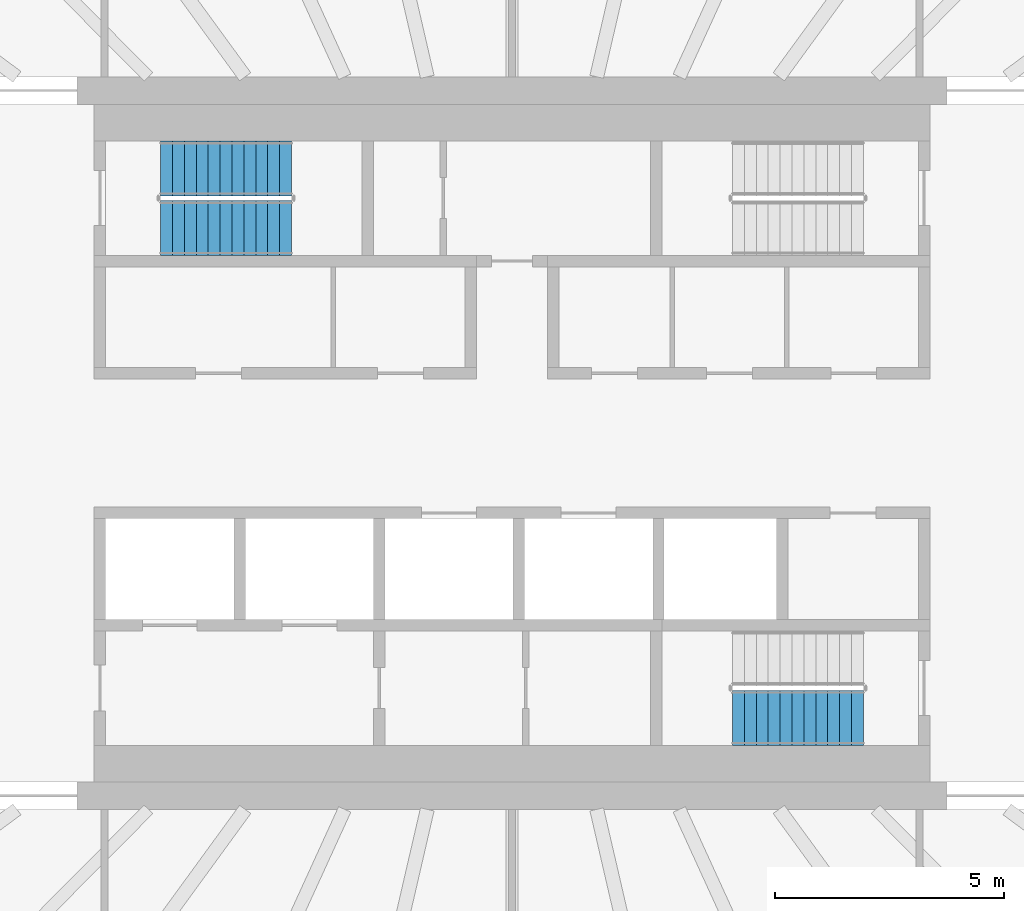
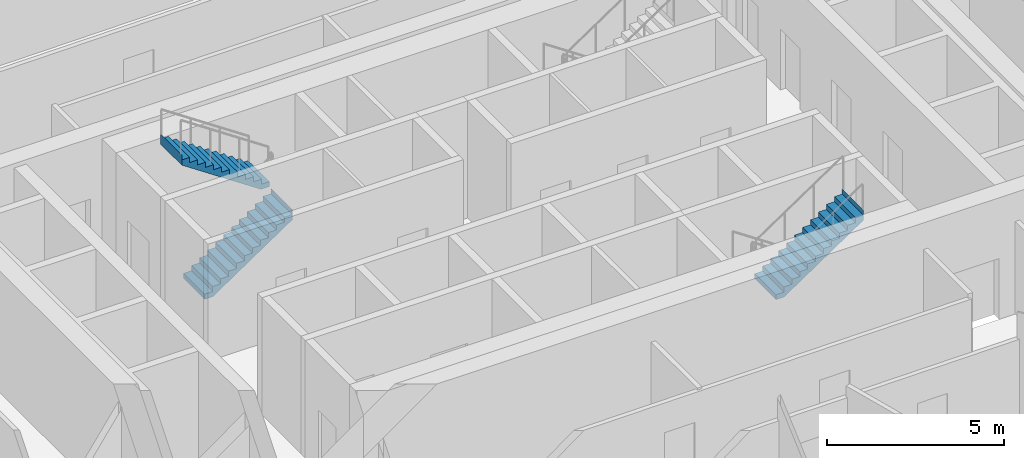
# One storey, part 17 of 24: 3 stair flights, 2 elements without a shape of their own.
"""IFC4 building model written with IfcOpenShell, lengths in metres."""

from ifc_helpers import new_model, si_unit, direction, frame, origin, place, context, subcontext, project, spatial, triangles, material, type_object, element, aggregate, save


model = new_model("IFC4")

# Units and contexts
model_context = context("Model", 3, precision=1e-05, world=origin(), true_north=direction((0.0, 1.0)))
body_context = subcontext(model_context, "Body", "Model", "MODEL_VIEW")
ifc_project = project(units=[si_unit("LENGTHUNIT", "METRE"), si_unit("AREAUNIT", "SQUARE_METRE"), si_unit("VOLUMEUNIT", "CUBIC_METRE"), si_unit("PLANEANGLEUNIT", "RADIAN"), si_unit("MASSUNIT", "GRAM", prefix="KILO")], contexts=[model_context])

# Site, building, storey
site_placement = place(None, origin())
site = spatial("IfcSite", under=ifc_project, at=site_placement, CompositionType="ELEMENT")
building_placement = place(site_placement, origin())
building = spatial("IfcBuilding", under=site, at=building_placement, Name="Sahrelin Media Tower", CompositionType="ELEMENT")
storey_placement = place(building_placement, frame((0.0, 0.0, 67.199951171875)))
storey = spatial("IfcBuildingStorey", under=building, at=storey_placement, Name="L11", CompositionType="ELEMENT", Elevation=67.199951171875)

# Stair, stair flights
ifc_material = material(Name="Concrete C40/50", Category="concrete")
stair_type = type_object("IfcStairType", Name="Exit stair 1200", PredefinedType="HALF_TURN_STAIR", material=ifc_material)
placement = place(storey_placement, origin())
stair_1 = element("IfcStair", 1, at=placement, inside=storey, type_object=stair_type, Name="L11 Exit stair ST1", PredefinedType="HALF_TURN_STAIR")
stair_flight_type = type_object("IfcStairFlightType", Name="Stair flight 1200", PredefinedType="STRAIGHT", material=ifc_material)
stair_flight_1_placement = place(storey_placement, frame((-7.675048828125, 4.699951171875, 0.0), z_axis=(0.0, 0.0, 1.0), x_axis=(1.0, 0.0, 0.0)))
stair_flight_1 = element("IfcStairFlight", 2, at=stair_flight_1_placement, type_object=stair_flight_type, Name="ST1 flight 1", NumberOfRisers=12, NumberOfTreads=11, PredefinedType="STRAIGHT", RiserHeight=0.175, TreadLength=0.26, context=body_context, shape_type="Tessellation", body=[
    triangles([(0.2685546875, 0.60009765625, 0.0), (0.2685546875, 0.300048828125, 0.0), (0.2685546875, 0.0, 0.0), (0.2685546875, -0.300048828125, 0.0), (0.2685546875, -0.60009765625, 0.0), (2.860107421875, 0.60009765625, 1.744384765625), (2.860107421875, 0.300048828125, 1.744384765625), (2.860107421875, 0.0, 1.744384765625), (2.860107421875, -0.300048828125, 1.744384765625), (2.860107421875, -0.60009765625, 1.744384765625), (2.860107421875, 0.60009765625, 2.10009765625), (2.860107421875, 0.300048828125, 2.10009765625), (2.860107421875, 0.0, 2.10009765625), (2.860107421875, -0.300048828125, 2.10009765625), (2.860107421875, -0.60009765625, 2.10009765625), (2.85791015625, 0.60009765625, 2.10009765625), (2.85791015625, 0.300048828125, 2.10009765625), (2.85791015625, 0.0, 2.10009765625), (2.85791015625, -0.300048828125, 2.10009765625), (2.85791015625, -0.60009765625, 2.10009765625), (2.85791015625, 0.60009765625, 1.925048828125), (2.85791015625, 0.300048828125, 1.925048828125), (2.85791015625, 0.0, 1.925048828125), (2.85791015625, -0.300048828125, 1.925048828125), (2.85791015625, -0.60009765625, 1.925048828125), (2.60009765625, 0.60009765625, 1.925048828125), (2.60009765625, 0.300048828125, 1.925048828125), (2.60009765625, 0.0, 1.925048828125), (2.60009765625, -0.300048828125, 1.925048828125), (2.60009765625, -0.60009765625, 1.925048828125), (2.60009765625, 0.60009765625, 1.75), (2.60009765625, 0.300048828125, 1.75), (2.60009765625, 0.0, 1.75), (2.60009765625, -0.300048828125, 1.75), (2.60009765625, -0.60009765625, 1.75), (2.340087890625, 0.60009765625, 1.75), (2.340087890625, 0.300048828125, 1.75), (2.340087890625, 0.0, 1.75), (2.340087890625, -0.300048828125, 1.75), (2.340087890625, -0.60009765625, 1.75), (2.340087890625, 0.60009765625, 1.574951171875), (2.340087890625, 0.300048828125, 1.574951171875), (2.340087890625, 0.0, 1.574951171875), (2.340087890625, -0.300048828125, 1.574951171875), (2.340087890625, -0.60009765625, 1.574951171875), (2.080078125, 0.60009765625, 1.574951171875), (2.080078125, 0.300048828125, 1.574951171875), (2.080078125, 0.0, 1.574951171875), (2.080078125, -0.300048828125, 1.574951171875), (2.080078125, -0.60009765625, 1.574951171875), (2.080078125, 0.60009765625, 1.39990234375), (2.080078125, 0.300048828125, 1.39990234375), (2.080078125, 0.0, 1.39990234375), (2.080078125, -0.300048828125, 1.39990234375), (2.080078125, -0.60009765625, 1.39990234375), (1.820068359375, 0.60009765625, 1.39990234375), (1.820068359375, 0.300048828125, 1.39990234375), (1.820068359375, 0.0, 1.39990234375), (1.820068359375, -0.300048828125, 1.39990234375), (1.820068359375, -0.60009765625, 1.39990234375), (1.820068359375, 0.60009765625, 1.22509765625), (1.820068359375, 0.300048828125, 1.22509765625), (1.820068359375, 0.0, 1.22509765625), (1.820068359375, -0.300048828125, 1.22509765625), (1.820068359375, -0.60009765625, 1.22509765625), (1.56005859375, 0.60009765625, 1.22509765625), (1.56005859375, 0.300048828125, 1.22509765625), (1.56005859375, 0.0, 1.22509765625), (1.56005859375, -0.300048828125, 1.22509765625), (1.56005859375, -0.60009765625, 1.22509765625), (1.56005859375, 0.60009765625, 1.050048828125), (1.56005859375, 0.300048828125, 1.050048828125), (1.56005859375, 0.0, 1.050048828125), (1.56005859375, -0.300048828125, 1.050048828125), (1.56005859375, -0.60009765625, 1.050048828125), (1.300048828125, 0.60009765625, 1.050048828125), (1.300048828125, 0.300048828125, 1.050048828125), (1.300048828125, 0.0, 1.050048828125), (1.300048828125, -0.300048828125, 1.050048828125), (1.300048828125, -0.60009765625, 1.050048828125), (1.300048828125, 0.60009765625, 0.875), (1.300048828125, 0.300048828125, 0.875), (1.300048828125, 0.0, 0.875), (1.300048828125, -0.300048828125, 0.875), (1.300048828125, -0.60009765625, 0.875), (1.0400390625, 0.60009765625, 0.875), (1.0400390625, 0.300048828125, 0.875), (1.0400390625, 0.0, 0.875), (1.0400390625, -0.300048828125, 0.875), (1.0400390625, -0.60009765625, 0.875), (1.0400390625, 0.60009765625, 0.699951171875), (1.0400390625, 0.300048828125, 0.699951171875), (1.0400390625, 0.0, 0.699951171875), (1.0400390625, -0.300048828125, 0.699951171875), (1.0400390625, -0.60009765625, 0.699951171875), (0.780029296875, 0.60009765625, 0.699951171875), (0.780029296875, 0.300048828125, 0.699951171875), (0.780029296875, 0.0, 0.699951171875), (0.780029296875, -0.300048828125, 0.699951171875), (0.780029296875, -0.60009765625, 0.699951171875), (0.780029296875, 0.60009765625, 0.52490234375), (0.780029296875, 0.300048828125, 0.52490234375), (0.780029296875, 0.0, 0.52490234375), (0.780029296875, -0.300048828125, 0.52490234375), (0.780029296875, -0.60009765625, 0.52490234375), (0.52001953125, 0.60009765625, 0.52490234375), (0.52001953125, 0.300048828125, 0.52490234375), (0.52001953125, 0.0, 0.52490234375), (0.52001953125, -0.300048828125, 0.52490234375), (0.52001953125, -0.60009765625, 0.52490234375), (0.52001953125, 0.60009765625, 0.35009765625), (0.52001953125, 0.300048828125, 0.35009765625), (0.52001953125, 0.0, 0.35009765625), (0.52001953125, -0.300048828125, 0.35009765625), (0.52001953125, -0.60009765625, 0.35009765625), (0.260009765625, 0.60009765625, 0.35009765625), (0.260009765625, 0.300048828125, 0.35009765625), (0.260009765625, 0.0, 0.35009765625), (0.260009765625, -0.300048828125, 0.35009765625), (0.260009765625, -0.60009765625, 0.35009765625), (0.260009765625, 0.60009765625, 0.175048828125), (0.260009765625, 0.300048828125, 0.175048828125), (0.260009765625, 0.0, 0.175048828125), (0.260009765625, -0.300048828125, 0.175048828125), (0.260009765625, -0.60009765625, 0.175048828125), (0.0, 0.60009765625, 0.175048828125), (0.0, 0.300048828125, 0.175048828125), (0.0, 0.0, 0.175048828125), (0.0, -0.300048828125, 0.175048828125), (0.0, -0.60009765625, 0.175048828125), (0.0, 0.60009765625, 0.0), (0.0, 0.300048828125, 0.0), (0.0, 0.0, 0.0), (0.0, -0.300048828125, 0.0), (0.0, -0.60009765625, 0.0)], [[1, 6, 7], [1, 7, 2], [2, 7, 8], [2, 8, 3], [3, 8, 9], [3, 9, 4], [4, 9, 10], [4, 10, 5], [6, 11, 12], [6, 12, 7], [7, 12, 13], [7, 13, 8], [8, 13, 14], [8, 14, 9], [9, 14, 15], [9, 15, 10], [11, 16, 17], [11, 17, 12], [12, 17, 18], [12, 18, 13], [13, 18, 19], [13, 19, 14], [14, 19, 20], [14, 20, 15], [16, 21, 22], [16, 22, 17], [17, 22, 23], [17, 23, 18], [18, 23, 24], [18, 24, 19], [19, 24, 25], [19, 25, 20], [21, 26, 27], [21, 27, 22], [22, 27, 28], [22, 28, 23], [23, 28, 29], [23, 29, 24], [24, 29, 30], [24, 30, 25], [26, 31, 32], [26, 32, 27], [27, 32, 33], [27, 33, 28], [28, 33, 34], [28, 34, 29], [29, 34, 35], [29, 35, 30], [31, 36, 37], [31, 37, 32], [32, 37, 38], [32, 38, 33], [33, 38, 39], [33, 39, 34], [34, 39, 40], [34, 40, 35], [36, 41, 42], [36, 42, 37], [37, 42, 43], [37, 43, 38], [38, 43, 44], [38, 44, 39], [39, 44, 45], [39, 45, 40], [41, 46, 47], [41, 47, 42], [42, 47, 48], [42, 48, 43], [43, 48, 49], [43, 49, 44], [44, 49, 50], [44, 50, 45], [46, 51, 52], [46, 52, 47], [47, 52, 53], [47, 53, 48], [48, 53, 54], [48, 54, 49], [49, 54, 55], [49, 55, 50], [51, 56, 57], [51, 57, 52], [52, 57, 58], [52, 58, 53], [53, 58, 59], [53, 59, 54], [54, 59, 60], [54, 60, 55], [56, 61, 62], [56, 62, 57], [57, 62, 63], [57, 63, 58], [58, 63, 64], [58, 64, 59], [59, 64, 65], [59, 65, 60], [61, 66, 67], [61, 67, 62], [62, 67, 68], [62, 68, 63], [63, 68, 69], [63, 69, 64], [64, 69, 70], [64, 70, 65], [66, 71, 72], [66, 72, 67], [67, 72, 73], [67, 73, 68], [68, 73, 74], [68, 74, 69], [69, 74, 75], [69, 75, 70], [71, 76, 77], [71, 77, 72], [72, 77, 78], [72, 78, 73], [73, 78, 79], [73, 79, 74], [74, 79, 80], [74, 80, 75], [76, 81, 82], [76, 82, 77], [77, 82, 83], [77, 83, 78], [78, 83, 84], [78, 84, 79], [79, 84, 85], [79, 85, 80], [81, 86, 87], [81, 87, 82], [82, 87, 88], [82, 88, 83], [83, 88, 89], [83, 89, 84], [84, 89, 90], [84, 90, 85], [86, 91, 92], [86, 92, 87], [87, 92, 93], [87, 93, 88], [88, 93, 94], [88, 94, 89], [89, 94, 95], [89, 95, 90], [91, 96, 97], [91, 97, 92], [92, 97, 98], [92, 98, 93], [93, 98, 99], [93, 99, 94], [94, 99, 100], [94, 100, 95], [96, 101, 102], [96, 102, 97], [97, 102, 103], [97, 103, 98], [98, 103, 104], [98, 104, 99], [99, 104, 105], [99, 105, 100], [101, 106, 107], [101, 107, 102], [102, 107, 108], [102, 108, 103], [103, 108, 109], [103, 109, 104], [104, 109, 110], [104, 110, 105], [106, 111, 112], [106, 112, 107], [107, 112, 113], [107, 113, 108], [108, 113, 114], [108, 114, 109], [109, 114, 115], [109, 115, 110], [111, 116, 117], [111, 117, 112], [112, 117, 118], [112, 118, 113], [113, 118, 119], [113, 119, 114], [114, 119, 120], [114, 120, 115], [116, 121, 122], [116, 122, 117], [117, 122, 123], [117, 123, 118], [118, 123, 124], [118, 124, 119], [119, 124, 125], [119, 125, 120], [121, 126, 127], [121, 127, 122], [122, 127, 128], [122, 128, 123], [123, 128, 129], [123, 129, 124], [124, 129, 130], [124, 130, 125], [126, 131, 132], [126, 132, 127], [127, 132, 133], [127, 133, 128], [128, 133, 134], [128, 134, 129], [129, 134, 135], [129, 135, 130], [131, 1, 2], [131, 2, 132], [132, 2, 3], [132, 3, 133], [133, 3, 4], [133, 4, 134], [134, 4, 5], [134, 5, 135], [125, 130, 135], [121, 131, 126], [125, 115, 120], [121, 116, 111], [115, 105, 110], [111, 106, 101], [105, 95, 100], [101, 96, 91], [95, 85, 90], [91, 86, 81], [85, 75, 80], [81, 76, 71], [75, 65, 70], [71, 66, 61], [65, 55, 60], [61, 56, 51], [55, 45, 50], [51, 46, 41], [45, 35, 40], [41, 36, 31], [35, 25, 30], [31, 26, 21], [25, 15, 20], [21, 16, 11], [135, 5, 125], [131, 121, 1], [95, 105, 5], [91, 1, 101], [5, 10, 75], [1, 71, 6], [10, 35, 45], [6, 41, 31], [25, 10, 15], [21, 11, 6], [115, 125, 5], [111, 1, 121], [75, 85, 5], [71, 1, 81], [35, 10, 25], [31, 21, 6], [105, 115, 5], [101, 1, 111], [45, 55, 10], [41, 6, 51], [85, 95, 5], [81, 1, 91], [65, 10, 55], [61, 51, 6], [10, 65, 75], [6, 71, 61]], closed=True),
])
stair_flight_2_placement = place(storey_placement, frame((-4.81494140625, 6.0, 2.10009765625), z_axis=(0.0, 0.0, 1.0), x_axis=(-1.0, 0.0, 0.0)))
stair_flight_2 = element("IfcStairFlight", 3, at=stair_flight_2_placement, type_object=stair_flight_type, Name="ST1 flight 2", NumberOfRisers=12, NumberOfTreads=11, PredefinedType="STRAIGHT", RiserHeight=0.175, TreadLength=0.26, context=body_context, shape_type="Tessellation", body=[
    triangles([(0.2685546875, 0.60009765625, 0.0), (0.2685546875, 0.300048828125, 0.0), (0.2685546875, 0.0, 0.0), (0.2685546875, -0.300048828125, 0.0), (0.2685546875, -0.60009765625, 0.0), (2.860107421875, 0.60009765625, 1.744384765625), (2.860107421875, 0.300048828125, 1.744384765625), (2.860107421875, 0.0, 1.744384765625), (2.860107421875, -0.300048828125, 1.744384765625), (2.860107421875, -0.60009765625, 1.744384765625), (2.860107421875, 0.60009765625, 2.10009765625), (2.860107421875, 0.300048828125, 2.10009765625), (2.860107421875, 0.0, 2.10009765625), (2.860107421875, -0.300048828125, 2.10009765625), (2.860107421875, -0.60009765625, 2.10009765625), (2.85791015625, 0.60009765625, 2.10009765625), (2.85791015625, 0.300048828125, 2.10009765625), (2.85791015625, 0.0, 2.10009765625), (2.85791015625, -0.300048828125, 2.10009765625), (2.85791015625, -0.60009765625, 2.10009765625), (2.85791015625, 0.60009765625, 1.925048828125), (2.85791015625, 0.300048828125, 1.925048828125), (2.85791015625, 0.0, 1.925048828125), (2.85791015625, -0.300048828125, 1.925048828125), (2.85791015625, -0.60009765625, 1.925048828125), (2.60009765625, 0.60009765625, 1.925048828125), (2.60009765625, 0.300048828125, 1.925048828125), (2.60009765625, 0.0, 1.925048828125), (2.60009765625, -0.300048828125, 1.925048828125), (2.60009765625, -0.60009765625, 1.925048828125), (2.60009765625, 0.60009765625, 1.75), (2.60009765625, 0.300048828125, 1.75), (2.60009765625, 0.0, 1.75), (2.60009765625, -0.300048828125, 1.75), (2.60009765625, -0.60009765625, 1.75), (2.340087890625, 0.60009765625, 1.75), (2.340087890625, 0.300048828125, 1.75), (2.340087890625, 0.0, 1.75), (2.340087890625, -0.300048828125, 1.75), (2.340087890625, -0.60009765625, 1.75), (2.340087890625, 0.60009765625, 1.574951171875), (2.340087890625, 0.300048828125, 1.574951171875), (2.340087890625, 0.0, 1.574951171875), (2.340087890625, -0.300048828125, 1.574951171875), (2.340087890625, -0.60009765625, 1.574951171875), (2.080078125, 0.60009765625, 1.574951171875), (2.080078125, 0.300048828125, 1.574951171875), (2.080078125, 0.0, 1.574951171875), (2.080078125, -0.300048828125, 1.574951171875), (2.080078125, -0.60009765625, 1.574951171875), (2.080078125, 0.60009765625, 1.39990234375), (2.080078125, 0.300048828125, 1.39990234375), (2.080078125, 0.0, 1.39990234375), (2.080078125, -0.300048828125, 1.39990234375), (2.080078125, -0.60009765625, 1.39990234375), (1.820068359375, 0.60009765625, 1.39990234375), (1.820068359375, 0.300048828125, 1.39990234375), (1.820068359375, 0.0, 1.39990234375), (1.820068359375, -0.300048828125, 1.39990234375), (1.820068359375, -0.60009765625, 1.39990234375), (1.820068359375, 0.60009765625, 1.22509765625), (1.820068359375, 0.300048828125, 1.22509765625), (1.820068359375, 0.0, 1.22509765625), (1.820068359375, -0.300048828125, 1.22509765625), (1.820068359375, -0.60009765625, 1.22509765625), (1.56005859375, 0.60009765625, 1.22509765625), (1.56005859375, 0.300048828125, 1.22509765625), (1.56005859375, 0.0, 1.22509765625), (1.56005859375, -0.300048828125, 1.22509765625), (1.56005859375, -0.60009765625, 1.22509765625), (1.56005859375, 0.60009765625, 1.050048828125), (1.56005859375, 0.300048828125, 1.050048828125), (1.56005859375, 0.0, 1.050048828125), (1.56005859375, -0.300048828125, 1.050048828125), (1.56005859375, -0.60009765625, 1.050048828125), (1.300048828125, 0.60009765625, 1.050048828125), (1.300048828125, 0.300048828125, 1.050048828125), (1.300048828125, 0.0, 1.050048828125), (1.300048828125, -0.300048828125, 1.050048828125), (1.300048828125, -0.60009765625, 1.050048828125), (1.300048828125, 0.60009765625, 0.875), (1.300048828125, 0.300048828125, 0.875), (1.300048828125, 0.0, 0.875), (1.300048828125, -0.300048828125, 0.875), (1.300048828125, -0.60009765625, 0.875), (1.0400390625, 0.60009765625, 0.875), (1.0400390625, 0.300048828125, 0.875), (1.0400390625, 0.0, 0.875), (1.0400390625, -0.300048828125, 0.875), (1.0400390625, -0.60009765625, 0.875), (1.0400390625, 0.60009765625, 0.699951171875), (1.0400390625, 0.300048828125, 0.699951171875), (1.0400390625, 0.0, 0.699951171875), (1.0400390625, -0.300048828125, 0.699951171875), (1.0400390625, -0.60009765625, 0.699951171875), (0.780029296875, 0.60009765625, 0.699951171875), (0.780029296875, 0.300048828125, 0.699951171875), (0.780029296875, 0.0, 0.699951171875), (0.780029296875, -0.300048828125, 0.699951171875), (0.780029296875, -0.60009765625, 0.699951171875), (0.780029296875, 0.60009765625, 0.52490234375), (0.780029296875, 0.300048828125, 0.52490234375), (0.780029296875, 0.0, 0.52490234375), (0.780029296875, -0.300048828125, 0.52490234375), (0.780029296875, -0.60009765625, 0.52490234375), (0.52001953125, 0.60009765625, 0.52490234375), (0.52001953125, 0.300048828125, 0.52490234375), (0.52001953125, 0.0, 0.52490234375), (0.52001953125, -0.300048828125, 0.52490234375), (0.52001953125, -0.60009765625, 0.52490234375), (0.52001953125, 0.60009765625, 0.35009765625), (0.52001953125, 0.300048828125, 0.35009765625), (0.52001953125, 0.0, 0.35009765625), (0.52001953125, -0.300048828125, 0.35009765625), (0.52001953125, -0.60009765625, 0.35009765625), (0.260009765625, 0.60009765625, 0.35009765625), (0.260009765625, 0.300048828125, 0.35009765625), (0.260009765625, 0.0, 0.35009765625), (0.260009765625, -0.300048828125, 0.35009765625), (0.260009765625, -0.60009765625, 0.35009765625), (0.260009765625, 0.60009765625, 0.175048828125), (0.260009765625, 0.300048828125, 0.175048828125), (0.260009765625, 0.0, 0.175048828125), (0.260009765625, -0.300048828125, 0.175048828125), (0.260009765625, -0.60009765625, 0.175048828125), (0.0, 0.60009765625, 0.175048828125), (0.0, 0.300048828125, 0.175048828125), (0.0, 0.0, 0.175048828125), (0.0, -0.300048828125, 0.175048828125), (0.0, -0.60009765625, 0.175048828125), (0.0, 0.60009765625, 0.0), (0.0, 0.300048828125, 0.0), (0.0, 0.0, 0.0), (0.0, -0.300048828125, 0.0), (0.0, -0.60009765625, 0.0)], [[1, 6, 7], [1, 7, 2], [2, 7, 8], [2, 8, 3], [3, 8, 9], [3, 9, 4], [4, 9, 10], [4, 10, 5], [6, 11, 12], [6, 12, 7], [7, 12, 13], [7, 13, 8], [8, 13, 14], [8, 14, 9], [9, 14, 15], [9, 15, 10], [11, 16, 17], [11, 17, 12], [12, 17, 18], [12, 18, 13], [13, 18, 19], [13, 19, 14], [14, 19, 20], [14, 20, 15], [16, 21, 22], [16, 22, 17], [17, 22, 23], [17, 23, 18], [18, 23, 24], [18, 24, 19], [19, 24, 25], [19, 25, 20], [21, 26, 27], [21, 27, 22], [22, 27, 28], [22, 28, 23], [23, 28, 29], [23, 29, 24], [24, 29, 30], [24, 30, 25], [26, 31, 32], [26, 32, 27], [27, 32, 33], [27, 33, 28], [28, 33, 34], [28, 34, 29], [29, 34, 35], [29, 35, 30], [31, 36, 37], [31, 37, 32], [32, 37, 38], [32, 38, 33], [33, 38, 39], [33, 39, 34], [34, 39, 40], [34, 40, 35], [36, 41, 42], [36, 42, 37], [37, 42, 43], [37, 43, 38], [38, 43, 44], [38, 44, 39], [39, 44, 45], [39, 45, 40], [41, 46, 47], [41, 47, 42], [42, 47, 48], [42, 48, 43], [43, 48, 49], [43, 49, 44], [44, 49, 50], [44, 50, 45], [46, 51, 52], [46, 52, 47], [47, 52, 53], [47, 53, 48], [48, 53, 54], [48, 54, 49], [49, 54, 55], [49, 55, 50], [51, 56, 57], [51, 57, 52], [52, 57, 58], [52, 58, 53], [53, 58, 59], [53, 59, 54], [54, 59, 60], [54, 60, 55], [56, 61, 62], [56, 62, 57], [57, 62, 63], [57, 63, 58], [58, 63, 64], [58, 64, 59], [59, 64, 65], [59, 65, 60], [61, 66, 67], [61, 67, 62], [62, 67, 68], [62, 68, 63], [63, 68, 69], [63, 69, 64], [64, 69, 70], [64, 70, 65], [66, 71, 72], [66, 72, 67], [67, 72, 73], [67, 73, 68], [68, 73, 74], [68, 74, 69], [69, 74, 75], [69, 75, 70], [71, 76, 77], [71, 77, 72], [72, 77, 78], [72, 78, 73], [73, 78, 79], [73, 79, 74], [74, 79, 80], [74, 80, 75], [76, 81, 82], [76, 82, 77], [77, 82, 83], [77, 83, 78], [78, 83, 84], [78, 84, 79], [79, 84, 85], [79, 85, 80], [81, 86, 87], [81, 87, 82], [82, 87, 88], [82, 88, 83], [83, 88, 89], [83, 89, 84], [84, 89, 90], [84, 90, 85], [86, 91, 92], [86, 92, 87], [87, 92, 93], [87, 93, 88], [88, 93, 94], [88, 94, 89], [89, 94, 95], [89, 95, 90], [91, 96, 97], [91, 97, 92], [92, 97, 98], [92, 98, 93], [93, 98, 99], [93, 99, 94], [94, 99, 100], [94, 100, 95], [96, 101, 102], [96, 102, 97], [97, 102, 103], [97, 103, 98], [98, 103, 104], [98, 104, 99], [99, 104, 105], [99, 105, 100], [101, 106, 107], [101, 107, 102], [102, 107, 108], [102, 108, 103], [103, 108, 109], [103, 109, 104], [104, 109, 110], [104, 110, 105], [106, 111, 112], [106, 112, 107], [107, 112, 113], [107, 113, 108], [108, 113, 114], [108, 114, 109], [109, 114, 115], [109, 115, 110], [111, 116, 117], [111, 117, 112], [112, 117, 118], [112, 118, 113], [113, 118, 119], [113, 119, 114], [114, 119, 120], [114, 120, 115], [116, 121, 122], [116, 122, 117], [117, 122, 123], [117, 123, 118], [118, 123, 124], [118, 124, 119], [119, 124, 125], [119, 125, 120], [121, 126, 127], [121, 127, 122], [122, 127, 128], [122, 128, 123], [123, 128, 129], [123, 129, 124], [124, 129, 130], [124, 130, 125], [126, 131, 132], [126, 132, 127], [127, 132, 133], [127, 133, 128], [128, 133, 134], [128, 134, 129], [129, 134, 135], [129, 135, 130], [131, 1, 2], [131, 2, 132], [132, 2, 3], [132, 3, 133], [133, 3, 4], [133, 4, 134], [134, 4, 5], [134, 5, 135], [125, 130, 135], [121, 131, 126], [125, 115, 120], [121, 116, 111], [115, 105, 110], [111, 106, 101], [105, 95, 100], [101, 96, 91], [95, 85, 90], [91, 86, 81], [85, 75, 80], [81, 76, 71], [75, 65, 70], [71, 66, 61], [65, 55, 60], [61, 56, 51], [55, 45, 50], [51, 46, 41], [45, 35, 40], [41, 36, 31], [35, 25, 30], [31, 26, 21], [25, 15, 20], [21, 16, 11], [135, 5, 125], [131, 121, 1], [95, 105, 5], [91, 1, 101], [5, 10, 75], [1, 71, 6], [10, 35, 45], [6, 41, 31], [25, 10, 15], [21, 11, 6], [115, 125, 5], [111, 1, 121], [75, 85, 5], [71, 1, 81], [35, 10, 25], [31, 21, 6], [105, 115, 5], [101, 1, 111], [45, 55, 10], [41, 6, 51], [85, 95, 5], [81, 1, 91], [65, 10, 55], [61, 51, 6], [10, 65, 75], [6, 71, 61]], closed=True),
])
aggregate(stair_1, [stair_flight_1, stair_flight_2])

# Stair, stair flight
stair_2 = element("IfcStair", 4, at=placement, inside=storey, type_object=stair_type, Name="L11 Exit stair ST2", PredefinedType="HALF_TURN_STAIR")
stair_flight_3_placement = place(storey_placement, frame((4.81494140625, -6.0, 2.10009765625), z_axis=(0.0, 0.0, 1.0), x_axis=(1.0, 0.0, 0.0)))
stair_flight_3 = element("IfcStairFlight", 5, at=stair_flight_3_placement, type_object=stair_flight_type, Name="ST2 flight 2", NumberOfRisers=12, NumberOfTreads=11, PredefinedType="STRAIGHT", RiserHeight=0.175, TreadLength=0.26, context=body_context, shape_type="Tessellation", body=[
    triangles([(0.2685546875, 0.60009765625, 0.0), (0.2685546875, 0.300048828125, 0.0), (0.2685546875, 0.0, 0.0), (0.2685546875, -0.300048828125, 0.0), (0.2685546875, -0.60009765625, 0.0), (2.860107421875, 0.60009765625, 1.744384765625), (2.860107421875, 0.300048828125, 1.744384765625), (2.860107421875, 0.0, 1.744384765625), (2.860107421875, -0.300048828125, 1.744384765625), (2.860107421875, -0.60009765625, 1.744384765625), (2.860107421875, 0.60009765625, 2.10009765625), (2.860107421875, 0.300048828125, 2.10009765625), (2.860107421875, 0.0, 2.10009765625), (2.860107421875, -0.300048828125, 2.10009765625), (2.860107421875, -0.60009765625, 2.10009765625), (2.85791015625, 0.60009765625, 2.10009765625), (2.85791015625, 0.300048828125, 2.10009765625), (2.85791015625, 0.0, 2.10009765625), (2.85791015625, -0.300048828125, 2.10009765625), (2.85791015625, -0.60009765625, 2.10009765625), (2.85791015625, 0.60009765625, 1.925048828125), (2.85791015625, 0.300048828125, 1.925048828125), (2.85791015625, 0.0, 1.925048828125), (2.85791015625, -0.300048828125, 1.925048828125), (2.85791015625, -0.60009765625, 1.925048828125), (2.60009765625, 0.60009765625, 1.925048828125), (2.60009765625, 0.300048828125, 1.925048828125), (2.60009765625, 0.0, 1.925048828125), (2.60009765625, -0.300048828125, 1.925048828125), (2.60009765625, -0.60009765625, 1.925048828125), (2.60009765625, 0.60009765625, 1.75), (2.60009765625, 0.300048828125, 1.75), (2.60009765625, 0.0, 1.75), (2.60009765625, -0.300048828125, 1.75), (2.60009765625, -0.60009765625, 1.75), (2.340087890625, 0.60009765625, 1.75), (2.340087890625, 0.300048828125, 1.75), (2.340087890625, 0.0, 1.75), (2.340087890625, -0.300048828125, 1.75), (2.340087890625, -0.60009765625, 1.75), (2.340087890625, 0.60009765625, 1.574951171875), (2.340087890625, 0.300048828125, 1.574951171875), (2.340087890625, 0.0, 1.574951171875), (2.340087890625, -0.300048828125, 1.574951171875), (2.340087890625, -0.60009765625, 1.574951171875), (2.080078125, 0.60009765625, 1.574951171875), (2.080078125, 0.300048828125, 1.574951171875), (2.080078125, 0.0, 1.574951171875), (2.080078125, -0.300048828125, 1.574951171875), (2.080078125, -0.60009765625, 1.574951171875), (2.080078125, 0.60009765625, 1.39990234375), (2.080078125, 0.300048828125, 1.39990234375), (2.080078125, 0.0, 1.39990234375), (2.080078125, -0.300048828125, 1.39990234375), (2.080078125, -0.60009765625, 1.39990234375), (1.820068359375, 0.60009765625, 1.39990234375), (1.820068359375, 0.300048828125, 1.39990234375), (1.820068359375, 0.0, 1.39990234375), (1.820068359375, -0.300048828125, 1.39990234375), (1.820068359375, -0.60009765625, 1.39990234375), (1.820068359375, 0.60009765625, 1.22509765625), (1.820068359375, 0.300048828125, 1.22509765625), (1.820068359375, 0.0, 1.22509765625), (1.820068359375, -0.300048828125, 1.22509765625), (1.820068359375, -0.60009765625, 1.22509765625), (1.56005859375, 0.60009765625, 1.22509765625), (1.56005859375, 0.300048828125, 1.22509765625), (1.56005859375, 0.0, 1.22509765625), (1.56005859375, -0.300048828125, 1.22509765625), (1.56005859375, -0.60009765625, 1.22509765625), (1.56005859375, 0.60009765625, 1.050048828125), (1.56005859375, 0.300048828125, 1.050048828125), (1.56005859375, 0.0, 1.050048828125), (1.56005859375, -0.300048828125, 1.050048828125), (1.56005859375, -0.60009765625, 1.050048828125), (1.300048828125, 0.60009765625, 1.050048828125), (1.300048828125, 0.300048828125, 1.050048828125), (1.300048828125, 0.0, 1.050048828125), (1.300048828125, -0.300048828125, 1.050048828125), (1.300048828125, -0.60009765625, 1.050048828125), (1.300048828125, 0.60009765625, 0.875), (1.300048828125, 0.300048828125, 0.875), (1.300048828125, 0.0, 0.875), (1.300048828125, -0.300048828125, 0.875), (1.300048828125, -0.60009765625, 0.875), (1.0400390625, 0.60009765625, 0.875), (1.0400390625, 0.300048828125, 0.875), (1.0400390625, 0.0, 0.875), (1.0400390625, -0.300048828125, 0.875), (1.0400390625, -0.60009765625, 0.875), (1.0400390625, 0.60009765625, 0.699951171875), (1.0400390625, 0.300048828125, 0.699951171875), (1.0400390625, 0.0, 0.699951171875), (1.0400390625, -0.300048828125, 0.699951171875), (1.0400390625, -0.60009765625, 0.699951171875), (0.780029296875, 0.60009765625, 0.699951171875), (0.780029296875, 0.300048828125, 0.699951171875), (0.780029296875, 0.0, 0.699951171875), (0.780029296875, -0.300048828125, 0.699951171875), (0.780029296875, -0.60009765625, 0.699951171875), (0.780029296875, 0.60009765625, 0.52490234375), (0.780029296875, 0.300048828125, 0.52490234375), (0.780029296875, 0.0, 0.52490234375), (0.780029296875, -0.300048828125, 0.52490234375), (0.780029296875, -0.60009765625, 0.52490234375), (0.52001953125, 0.60009765625, 0.52490234375), (0.52001953125, 0.300048828125, 0.52490234375), (0.52001953125, 0.0, 0.52490234375), (0.52001953125, -0.300048828125, 0.52490234375), (0.52001953125, -0.60009765625, 0.52490234375), (0.52001953125, 0.60009765625, 0.35009765625), (0.52001953125, 0.300048828125, 0.35009765625), (0.52001953125, 0.0, 0.35009765625), (0.52001953125, -0.300048828125, 0.35009765625), (0.52001953125, -0.60009765625, 0.35009765625), (0.260009765625, 0.60009765625, 0.35009765625), (0.260009765625, 0.300048828125, 0.35009765625), (0.260009765625, 0.0, 0.35009765625), (0.260009765625, -0.300048828125, 0.35009765625), (0.260009765625, -0.60009765625, 0.35009765625), (0.260009765625, 0.60009765625, 0.175048828125), (0.260009765625, 0.300048828125, 0.175048828125), (0.260009765625, 0.0, 0.175048828125), (0.260009765625, -0.300048828125, 0.175048828125), (0.260009765625, -0.60009765625, 0.175048828125), (0.0, 0.60009765625, 0.175048828125), (0.0, 0.300048828125, 0.175048828125), (0.0, 0.0, 0.175048828125), (0.0, -0.300048828125, 0.175048828125), (0.0, -0.60009765625, 0.175048828125), (0.0, 0.60009765625, 0.0), (0.0, 0.300048828125, 0.0), (0.0, 0.0, 0.0), (0.0, -0.300048828125, 0.0), (0.0, -0.60009765625, 0.0)], [[1, 6, 7], [1, 7, 2], [2, 7, 8], [2, 8, 3], [3, 8, 9], [3, 9, 4], [4, 9, 10], [4, 10, 5], [6, 11, 12], [6, 12, 7], [7, 12, 13], [7, 13, 8], [8, 13, 14], [8, 14, 9], [9, 14, 15], [9, 15, 10], [11, 16, 17], [11, 17, 12], [12, 17, 18], [12, 18, 13], [13, 18, 19], [13, 19, 14], [14, 19, 20], [14, 20, 15], [16, 21, 22], [16, 22, 17], [17, 22, 23], [17, 23, 18], [18, 23, 24], [18, 24, 19], [19, 24, 25], [19, 25, 20], [21, 26, 27], [21, 27, 22], [22, 27, 28], [22, 28, 23], [23, 28, 29], [23, 29, 24], [24, 29, 30], [24, 30, 25], [26, 31, 32], [26, 32, 27], [27, 32, 33], [27, 33, 28], [28, 33, 34], [28, 34, 29], [29, 34, 35], [29, 35, 30], [31, 36, 37], [31, 37, 32], [32, 37, 38], [32, 38, 33], [33, 38, 39], [33, 39, 34], [34, 39, 40], [34, 40, 35], [36, 41, 42], [36, 42, 37], [37, 42, 43], [37, 43, 38], [38, 43, 44], [38, 44, 39], [39, 44, 45], [39, 45, 40], [41, 46, 47], [41, 47, 42], [42, 47, 48], [42, 48, 43], [43, 48, 49], [43, 49, 44], [44, 49, 50], [44, 50, 45], [46, 51, 52], [46, 52, 47], [47, 52, 53], [47, 53, 48], [48, 53, 54], [48, 54, 49], [49, 54, 55], [49, 55, 50], [51, 56, 57], [51, 57, 52], [52, 57, 58], [52, 58, 53], [53, 58, 59], [53, 59, 54], [54, 59, 60], [54, 60, 55], [56, 61, 62], [56, 62, 57], [57, 62, 63], [57, 63, 58], [58, 63, 64], [58, 64, 59], [59, 64, 65], [59, 65, 60], [61, 66, 67], [61, 67, 62], [62, 67, 68], [62, 68, 63], [63, 68, 69], [63, 69, 64], [64, 69, 70], [64, 70, 65], [66, 71, 72], [66, 72, 67], [67, 72, 73], [67, 73, 68], [68, 73, 74], [68, 74, 69], [69, 74, 75], [69, 75, 70], [71, 76, 77], [71, 77, 72], [72, 77, 78], [72, 78, 73], [73, 78, 79], [73, 79, 74], [74, 79, 80], [74, 80, 75], [76, 81, 82], [76, 82, 77], [77, 82, 83], [77, 83, 78], [78, 83, 84], [78, 84, 79], [79, 84, 85], [79, 85, 80], [81, 86, 87], [81, 87, 82], [82, 87, 88], [82, 88, 83], [83, 88, 89], [83, 89, 84], [84, 89, 90], [84, 90, 85], [86, 91, 92], [86, 92, 87], [87, 92, 93], [87, 93, 88], [88, 93, 94], [88, 94, 89], [89, 94, 95], [89, 95, 90], [91, 96, 97], [91, 97, 92], [92, 97, 98], [92, 98, 93], [93, 98, 99], [93, 99, 94], [94, 99, 100], [94, 100, 95], [96, 101, 102], [96, 102, 97], [97, 102, 103], [97, 103, 98], [98, 103, 104], [98, 104, 99], [99, 104, 105], [99, 105, 100], [101, 106, 107], [101, 107, 102], [102, 107, 108], [102, 108, 103], [103, 108, 109], [103, 109, 104], [104, 109, 110], [104, 110, 105], [106, 111, 112], [106, 112, 107], [107, 112, 113], [107, 113, 108], [108, 113, 114], [108, 114, 109], [109, 114, 115], [109, 115, 110], [111, 116, 117], [111, 117, 112], [112, 117, 118], [112, 118, 113], [113, 118, 119], [113, 119, 114], [114, 119, 120], [114, 120, 115], [116, 121, 122], [116, 122, 117], [117, 122, 123], [117, 123, 118], [118, 123, 124], [118, 124, 119], [119, 124, 125], [119, 125, 120], [121, 126, 127], [121, 127, 122], [122, 127, 128], [122, 128, 123], [123, 128, 129], [123, 129, 124], [124, 129, 130], [124, 130, 125], [126, 131, 132], [126, 132, 127], [127, 132, 133], [127, 133, 128], [128, 133, 134], [128, 134, 129], [129, 134, 135], [129, 135, 130], [131, 1, 2], [131, 2, 132], [132, 2, 3], [132, 3, 133], [133, 3, 4], [133, 4, 134], [134, 4, 5], [134, 5, 135], [125, 130, 135], [121, 131, 126], [125, 115, 120], [121, 116, 111], [115, 105, 110], [111, 106, 101], [105, 95, 100], [101, 96, 91], [95, 85, 90], [91, 86, 81], [85, 75, 80], [81, 76, 71], [75, 65, 70], [71, 66, 61], [65, 55, 60], [61, 56, 51], [55, 45, 50], [51, 46, 41], [45, 35, 40], [41, 36, 31], [35, 25, 30], [31, 26, 21], [25, 15, 20], [21, 16, 11], [135, 5, 125], [131, 121, 1], [95, 105, 5], [91, 1, 101], [5, 10, 75], [1, 71, 6], [10, 35, 45], [6, 41, 31], [25, 10, 15], [21, 11, 6], [115, 125, 5], [111, 1, 121], [75, 85, 5], [71, 1, 81], [35, 10, 25], [31, 21, 6], [105, 115, 5], [101, 1, 111], [45, 55, 10], [41, 6, 51], [85, 95, 5], [81, 1, 91], [65, 10, 55], [61, 51, 6], [10, 65, 75], [6, 71, 61]], closed=True),
])
aggregate(stair_2, [stair_flight_3])

save(model, "model.ifc")
